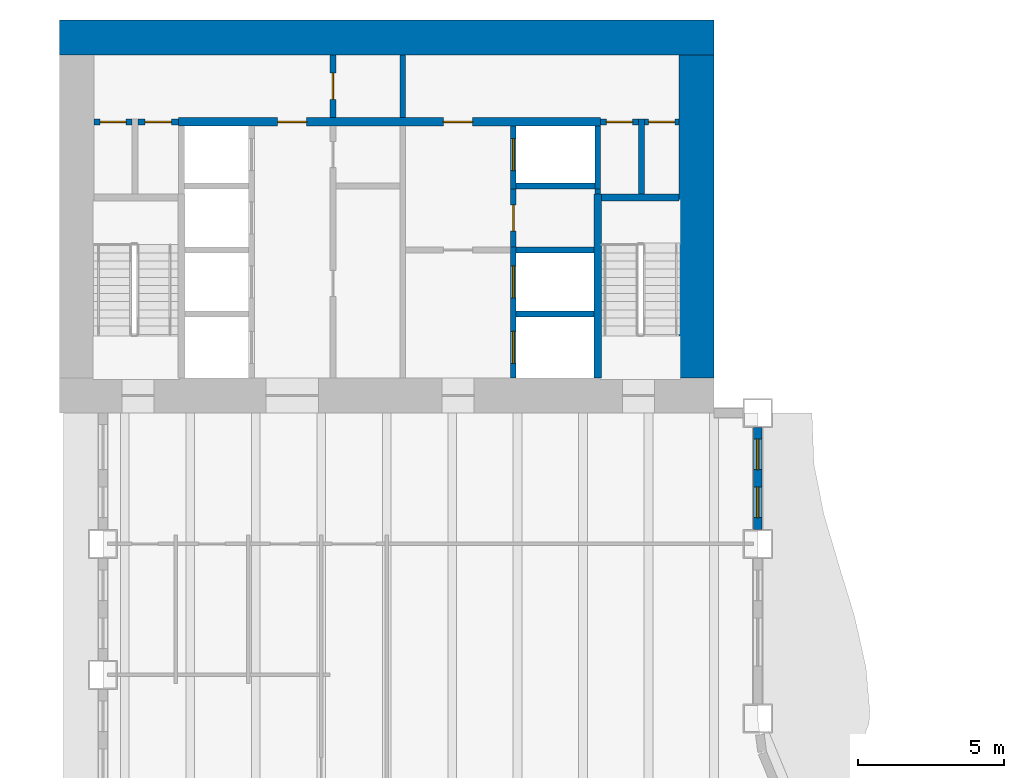
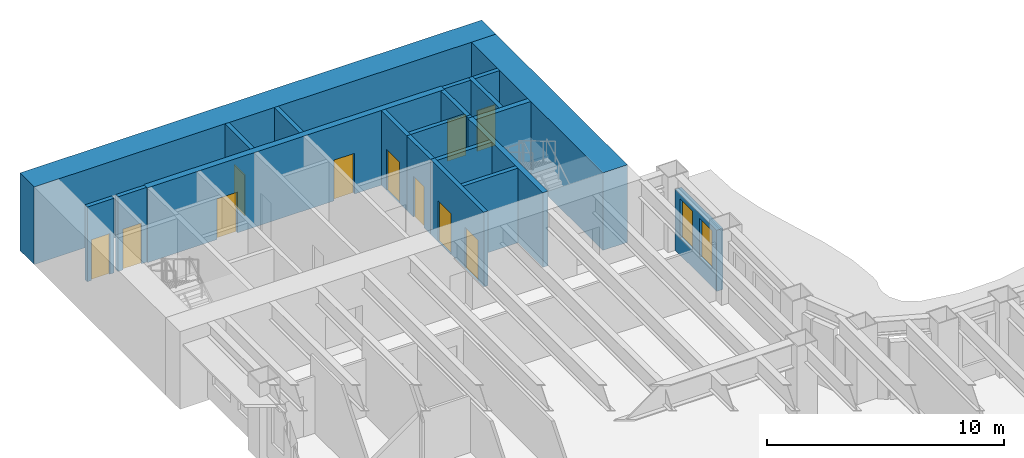
# One storey, part 9 of 16: 21 walls, 11 doors, 2 windows, 13 openings.
"""IFC4 building model written with IfcOpenShell, lengths in metres."""

from ifc_helpers import new_model, si_unit, direction, frame, frame_2d, origin, place, context, subcontext, project, spatial, rectangle, extrude, material, layer, layer_set, type_object, element, fill, save


model = new_model("IFC4")

# Units and contexts
model_context = context("Model", 3, precision=1e-05, world=origin(), true_north=direction((0.0, 1.0)))
body_context = subcontext(model_context, "Body", "Model", "MODEL_VIEW")
ifc_project = project(units=[si_unit("LENGTHUNIT", "METRE"), si_unit("AREAUNIT", "SQUARE_METRE"), si_unit("VOLUMEUNIT", "CUBIC_METRE"), si_unit("PLANEANGLEUNIT", "RADIAN"), si_unit("MASSUNIT", "GRAM", prefix="KILO")], contexts=[model_context])

# Site, building, storey
site_placement = place(None, origin())
site = spatial("IfcSite", under=ifc_project, at=site_placement, CompositionType="ELEMENT")
building_placement = place(site_placement, origin())
building = spatial("IfcBuilding", under=site, at=building_placement, Name="Sennacour Bend Tower", CompositionType="ELEMENT")
storey_placement = place(building_placement, frame((0.0, 0.0, 123.0)))
storey = spatial("IfcBuildingStorey", under=building, at=storey_placement, Name="L28", CompositionType="ELEMENT", Elevation=123.0)

# Walls
ifc_material_1 = material(Name="Concrete C80/95", Category="concrete")
ifc_layer_1 = layer(ifc_material_1, 1.199951171875, Name="Concrete C80/95", Category="concrete")
ifc_layer_set_1 = layer_set([ifc_layer_1], Name="Concrete C80/95")
wall_type_1 = type_object("IfcWallType", Name="Core wall 1200 C80/95", PredefinedType="SHEAR", material=ifc_layer_set_1)
wall_1_placement = place(storey_placement, frame((0.0, 48.89990234375, -0.14990234375), z_axis=(0.0, 0.0, 1.0), x_axis=(1.0, 0.0, 0.0)))
element("IfcWall", 1, at=wall_1_placement, inside=storey, type_object=wall_type_1, Name="Core B wall L28 N", PredefinedType="SHEAR", context=body_context, shape_type="SweptSolid", body=[
    extrude(rectangle(XDim=22.5, YDim=1.199951171875, at=frame_2d((11.25, 0.0))), origin(), (0.0, 0.0, 1.0), 4.0),
])
wall_2_placement = place(storey_placement, frame((21.89990234375, 37.199951171875, -0.14990234375), z_axis=(0.0, 0.0, 1.0), x_axis=(0.0, 1.0, 0.0)))
element("IfcWall", 2, at=wall_2_placement, inside=storey, type_object=wall_type_1, Name="Core B wall L28 E", PredefinedType="SHEAR", context=body_context, shape_type="SweptSolid", body=[
    extrude(rectangle(XDim=11.10009765625, YDim=1.199951171875, at=frame_2d((5.550048828125, 0.0))), origin(), (0.0, 0.0, 1.0), 4.0),
])

# Wall, opening, door
ifc_material_2 = material(Name="Fire-rated plasterboard partition on steel studs", Category="steel")
ifc_layer_2 = layer(ifc_material_2, 0.199951171875, Name="Fire-rated plasterboard partition on steel studs", Category="steel")
ifc_layer_set_2 = layer_set([ifc_layer_2], Name="Fire-rated plasterboard partition on steel studs")
wall_type_2 = type_object("IfcWallType", Name="Rated partition 200", PredefinedType="PARTITIONING", material=ifc_layer_set_2)
wall_3_placement = place(storey_placement, frame((9.39990234375, 46.14990234375, 0.0), z_axis=(0.0, 0.0, 1.0), x_axis=(0.0, 1.0, 0.0)))
wall_3 = element("IfcWall", 3, at=wall_3_placement, inside=storey, type_object=wall_type_2, Name="P-L28-W012b", PredefinedType="PARTITIONING", context=body_context, shape_type="SweptSolid", body=[
    extrude(rectangle(XDim=2.150146484375, YDim=0.199951171875, at=frame_2d((1.0751953125, 0.0))), origin(), (0.0, 0.0, 1.0), 3.85009765625),
])
opening_1_placement = place(wall_3_placement, frame((0.625, 0.0, 0.0)))
opening_1 = element("IfcOpeningElement", 4, at=opening_1_placement, cuts=wall_3, Name="Opening SV", PredefinedType="OPENING", context=body_context, shape_type="SweptSolid", body=[
    extrude(rectangle(XDim=0.89990234375, YDim=2.10009765625, at=frame_2d((0.449951171875, 1.050048828125))), frame((0.0, 0.10986328125, 0.0), z_axis=(0.0, -1.0, 0.0), x_axis=(1.0, 0.0, 0.0)), (0.0, 0.0, 1.0), 0.219970703125),
])
ifc_material_3 = material(Name="Painted steel", Category="steel")
door_type_1 = type_object("IfcDoorType", Name="DR-SERVICE-900", OperationType="NOTDEFINED", PredefinedType="DOOR", material=ifc_material_3)
door_1_placement = place(opening_1_placement, origin())
door_1 = element("IfcDoor", 5, at=door_1_placement, inside=storey, type_object=door_type_1, Name="Door", OperationType="SINGLE_SWING_LEFT", OverallHeight=2.10009765625, OverallWidth=0.89990234375, PredefinedType="DOOR", context=body_context, shape_type="SweptSolid", body=[
    extrude(rectangle(XDim=0.89990234375, YDim=2.10009765625, at=frame_2d((0.449951171875, 1.050048828125))), frame((0.0, 0.02490234375, 0.0), z_axis=(0.0, -1.0, 0.0), x_axis=(1.0, 0.0, 0.0)), (0.0, 0.0, 1.0), 0.050048828125),
])
fill(opening_1, door_1)

# Wall
wall_4_placement = place(storey_placement, frame((11.800048828125, 46.14990234375, 0.0), z_axis=(0.0, 0.0, 1.0), x_axis=(0.0, 1.0, 0.0)))
element("IfcWall", 6, at=wall_4_placement, inside=storey, type_object=wall_type_2, Name="P-L28-W014b", PredefinedType="PARTITIONING", context=body_context, shape_type="SweptSolid", body=[
    extrude(rectangle(XDim=2.150146484375, YDim=0.199951171875, at=frame_2d((1.0751953125, 0.0))), origin(), (0.0, 0.0, 1.0), 3.85009765625),
])

# Wall, opening, door
wall_5_placement = place(storey_placement, frame((15.60009765625, 41.699951171875, 0.0), z_axis=(0.0, 0.0, 1.0), x_axis=(0.0, 1.0, 0.0)))
wall_5 = element("IfcWall", 7, at=wall_5_placement, inside=storey, type_object=wall_type_2, Name="P-L28-W017", PredefinedType="PARTITIONING", context=body_context, shape_type="SweptSolid", body=[
    extrude(rectangle(XDim=2.0, YDim=0.199951171875, at=frame_2d((1.0, 0.0))), origin(), (0.0, 0.0, 1.0), 3.85009765625),
])
opening_2_placement = place(wall_5_placement, frame((0.550048828125, 0.0, 0.0)))
opening_2 = element("IfcOpeningElement", 8, at=opening_2_placement, cuts=wall_5, Name="Opening SV", PredefinedType="OPENING", context=body_context, shape_type="SweptSolid", body=[
    extrude(rectangle(XDim=0.89990234375, YDim=2.10009765625, at=frame_2d((0.449951171875, 1.050048828125))), frame((0.0, 0.10986328125, 0.0), z_axis=(0.0, -1.0, 0.0), x_axis=(1.0, 0.0, 0.0)), (0.0, 0.0, 1.0), 0.219970703125),
])
door_2_placement = place(opening_2_placement, origin())
door_2 = element("IfcDoor", 9, at=door_2_placement, inside=storey, type_object=door_type_1, Name="Door", OperationType="SINGLE_SWING_RIGHT", OverallHeight=2.10009765625, OverallWidth=0.89990234375, PredefinedType="DOOR", context=body_context, shape_type="SweptSolid", body=[
    extrude(rectangle(XDim=0.89990234375, YDim=2.10009765625, at=frame_2d((0.449951171875, 1.050048828125))), frame((0.0, 0.02490234375, 0.0), z_axis=(0.0, -1.0, 0.0), x_axis=(1.0, 0.0, 0.0)), (0.0, 0.0, 1.0), 0.050048828125),
])
fill(opening_2, door_2)

# Walls
wall_6_placement = place(storey_placement, frame((18.5, 43.52490234375, 0.0), z_axis=(0.0, 0.0, 1.0), x_axis=(0.0, 1.0, 0.0)))
element("IfcWall", 10, at=wall_6_placement, inside=storey, type_object=wall_type_2, Name="P-L28-W020", PredefinedType="PARTITIONING", context=body_context, shape_type="SweptSolid", body=[
    extrude(rectangle(XDim=0.175048828125, YDim=0.199951171875, at=frame_2d((0.08740234375, 0.0))), origin(), (0.0, 0.0, 1.0), 3.85009765625),
])
wall_7_placement = place(storey_placement, frame((20.0, 43.52490234375, 0.0), z_axis=(0.0, 0.0, 1.0), x_axis=(0.0, 1.0, 0.0)))
element("IfcWall", 11, at=wall_7_placement, inside=storey, type_object=wall_type_2, Name="P-L28-W022", PredefinedType="PARTITIONING", context=body_context, shape_type="SweptSolid", body=[
    extrude(rectangle(XDim=2.5751953125, YDim=0.199951171875, at=frame_2d((1.28759765625, 0.0))), origin(), (0.0, 0.0, 1.0), 3.85009765625),
])

# Wall, opening, door
wall_8_placement = place(storey_placement, frame((1.199951171875, 46.0, 0.0), z_axis=(0.0, 0.0, 1.0), x_axis=(1.0, 0.0, 0.0)))
wall_8 = element("IfcWall", 12, at=wall_8_placement, inside=storey, type_object=wall_type_2, Name="P-L28-W086a", PredefinedType="PARTITIONING", context=body_context, shape_type="SweptSolid", body=[
    extrude(rectangle(XDim=1.300048828125, YDim=0.199951171875, at=frame_2d((0.64990234375, 0.0))), origin(), (0.0, 0.0, 1.0), 3.85009765625),
])
opening_3_placement = place(wall_8_placement, frame((0.199951171875, 0.0, 0.0)))
opening_3 = element("IfcOpeningElement", 13, at=opening_3_placement, cuts=wall_8, Name="Opening SV", PredefinedType="OPENING", context=body_context, shape_type="SweptSolid", body=[
    extrude(rectangle(XDim=0.89990234375, YDim=2.10009765625, at=frame_2d((0.449951171875, 1.050048828125))), frame((0.0, 0.10986328125, 0.0), z_axis=(0.0, -1.0, 0.0), x_axis=(1.0, 0.0, 0.0)), (0.0, 0.0, 1.0), 0.219970703125),
])
door_3_placement = place(opening_3_placement, origin())
door_3 = element("IfcDoor", 14, at=door_3_placement, inside=storey, type_object=door_type_1, Name="Door", OperationType="SINGLE_SWING_LEFT", OverallHeight=2.10009765625, OverallWidth=0.89990234375, PredefinedType="DOOR", context=body_context, shape_type="SweptSolid", body=[
    extrude(rectangle(XDim=0.89990234375, YDim=2.10009765625, at=frame_2d((0.449951171875, 1.050048828125))), frame((0.0, 0.02490234375, 0.0), z_axis=(0.0, -1.0, 0.0), x_axis=(1.0, 0.0, 0.0)), (0.0, 0.0, 1.0), 0.050048828125),
])
fill(opening_3, door_3)

wall_9_placement = place(storey_placement, frame((2.699951171875, 46.0, 0.0), z_axis=(0.0, 0.0, 1.0), x_axis=(1.0, 0.0, 0.0)))
wall_9 = element("IfcWall", 15, at=wall_9_placement, inside=storey, type_object=wall_type_2, Name="P-L28-W086b", PredefinedType="PARTITIONING", context=body_context, shape_type="SweptSolid", body=[
    extrude(rectangle(XDim=1.400146484375, YDim=0.199951171875, at=frame_2d((0.7001953125, 0.0))), origin(), (0.0, 0.0, 1.0), 3.85009765625),
])
opening_4_placement = place(wall_9_placement, frame((0.25, 0.0, 0.0)))
opening_4 = element("IfcOpeningElement", 16, at=opening_4_placement, cuts=wall_9, Name="Opening WD", PredefinedType="OPENING", context=body_context, shape_type="SweptSolid", body=[
    extrude(rectangle(XDim=0.89990234375, YDim=2.10009765625, at=frame_2d((0.449951171875, 1.050048828125))), frame((0.0, 0.10986328125, 0.0), z_axis=(0.0, -1.0, 0.0), x_axis=(1.0, 0.0, 0.0)), (0.0, 0.0, 1.0), 0.219970703125),
])
ifc_material_4 = material(Name="Timber", Category="wood")
door_type_2 = type_object("IfcDoorType", Name="DR-WC-900", OperationType="NOTDEFINED", PredefinedType="DOOR", material=ifc_material_4)
door_4_placement = place(opening_4_placement, origin())
door_4 = element("IfcDoor", 17, at=door_4_placement, inside=storey, type_object=door_type_2, Name="Door", OperationType="SINGLE_SWING_LEFT", OverallHeight=2.10009765625, OverallWidth=0.89990234375, PredefinedType="DOOR", context=body_context, shape_type="SweptSolid", body=[
    extrude(rectangle(XDim=0.89990234375, YDim=2.10009765625, at=frame_2d((0.449951171875, 1.050048828125))), frame((0.0, 0.02490234375, 0.0), z_axis=(0.0, -1.0, 0.0), x_axis=(1.0, 0.0, 0.0)), (0.0, 0.0, 1.0), 0.050048828125),
])
fill(opening_4, door_4)

wall_10_placement = place(storey_placement, frame((18.60009765625, 46.0, 0.0), z_axis=(0.0, 0.0, 1.0), x_axis=(1.0, 0.0, 0.0)))
wall_10 = element("IfcWall", 18, at=wall_10_placement, inside=storey, type_object=wall_type_2, Name="P-L28-W088a", PredefinedType="PARTITIONING", context=body_context, shape_type="SweptSolid", body=[
    extrude(rectangle(XDim=1.2998046875, YDim=0.199951171875, at=frame_2d((0.64990234375, 0.0))), origin(), (0.0, 0.0, 1.0), 3.85009765625),
])
opening_5_placement = place(wall_10_placement, frame((0.199951171875, 0.0, 0.0)))
opening_5 = element("IfcOpeningElement", 19, at=opening_5_placement, cuts=wall_10, Name="Opening SV", PredefinedType="OPENING", context=body_context, shape_type="SweptSolid", body=[
    extrude(rectangle(XDim=0.89990234375, YDim=2.10009765625, at=frame_2d((0.449951171875, 1.050048828125))), frame((0.0, 0.10986328125, 0.0), z_axis=(0.0, -1.0, 0.0), x_axis=(1.0, 0.0, 0.0)), (0.0, 0.0, 1.0), 0.219970703125),
])
door_5_placement = place(opening_5_placement, origin())
door_5 = element("IfcDoor", 20, at=door_5_placement, inside=storey, type_object=door_type_1, Name="Door", OperationType="SINGLE_SWING_LEFT", OverallHeight=2.10009765625, OverallWidth=0.89990234375, PredefinedType="DOOR", context=body_context, shape_type="SweptSolid", body=[
    extrude(rectangle(XDim=0.89990234375, YDim=2.10009765625, at=frame_2d((0.449951171875, 1.050048828125))), frame((0.0, 0.02490234375, 0.0), z_axis=(0.0, -1.0, 0.0), x_axis=(1.0, 0.0, 0.0)), (0.0, 0.0, 1.0), 0.050048828125),
])
fill(opening_5, door_5)

wall_11_placement = place(storey_placement, frame((20.10009765625, 46.0, 0.0), z_axis=(0.0, 0.0, 1.0), x_axis=(1.0, 0.0, 0.0)))
wall_11 = element("IfcWall", 21, at=wall_11_placement, inside=storey, type_object=wall_type_2, Name="P-L28-W088b", PredefinedType="PARTITIONING", context=body_context, shape_type="SweptSolid", body=[
    extrude(rectangle(XDim=1.199951171875, YDim=0.199951171875, at=frame_2d((0.60009765625, 0.0))), origin(), (0.0, 0.0, 1.0), 3.85009765625),
])
opening_6_placement = place(wall_11_placement, frame((0.14990234375, 0.0, 0.0)))
opening_6 = element("IfcOpeningElement", 22, at=opening_6_placement, cuts=wall_11, Name="Opening SV", PredefinedType="OPENING", context=body_context, shape_type="SweptSolid", body=[
    extrude(rectangle(XDim=0.89990234375, YDim=2.10009765625, at=frame_2d((0.449951171875, 1.050048828125))), frame((0.0, 0.10986328125, 0.0), z_axis=(0.0, -1.0, 0.0), x_axis=(1.0, 0.0, 0.0)), (0.0, 0.0, 1.0), 0.219970703125),
])
door_6_placement = place(opening_6_placement, origin())
door_6 = element("IfcDoor", 23, at=door_6_placement, inside=storey, type_object=door_type_1, Name="Door", OperationType="SINGLE_SWING_LEFT", OverallHeight=2.10009765625, OverallWidth=0.89990234375, PredefinedType="DOOR", context=body_context, shape_type="SweptSolid", body=[
    extrude(rectangle(XDim=0.89990234375, YDim=2.10009765625, at=frame_2d((0.449951171875, 1.050048828125))), frame((0.0, 0.02490234375, 0.0), z_axis=(0.0, -1.0, 0.0), x_axis=(1.0, 0.0, 0.0)), (0.0, 0.0, 1.0), 0.050048828125),
])
fill(opening_6, door_6)

# Wall, openings, windows
ifc_material_5 = material(Name="Warm limestone cladding", Category="masonry")
ifc_layer_3 = layer(ifc_material_5, 0.050048828125, Name="Warm limestone cladding", Category="masonry")
ifc_material_6 = material(Name="Precast concrete C40/50", Category="concrete")
ifc_layer_4 = layer(ifc_material_6, 0.25, Name="Precast concrete C40/50", Category="concrete")
ifc_layer_set_3 = layer_set([ifc_layer_3, ifc_layer_4], Name="Precast concrete C40/50 with limestone cladding")
wall_type_3 = type_object("IfcWallType", Name="STONE-CLAD PRECAST SPANDREL 300", PredefinedType="STANDARD", material=ifc_layer_set_3)
wall_12_placement = place(storey_placement, frame((24.0, 32.0, 0.0), z_axis=(0.0, 0.0, 1.0), x_axis=(0.0, 1.0, 0.0)))
wall_12 = element("IfcWall", 24, at=wall_12_placement, inside=storey, type_object=wall_type_3, Name="Stone spandrel and pier wall L28 13.01", PredefinedType="STANDARD", context=body_context, shape_type="SweptSolid", body=[
    extrude(rectangle(XDim=3.5, YDim=0.300048828125, at=frame_2d((1.75, 0.0))), origin(), (0.0, 0.0, 1.0), 3.154052734375),
])
opening_7_placement = place(wall_12_placement, frame((0.39990234375, 0.0, 0.89990234375)))
opening_7 = element("IfcOpeningElement", 25, at=opening_7_placement, cuts=wall_12, Name="Opening W13", PredefinedType="OPENING", context=body_context, shape_type="SweptSolid", body=[
    extrude(rectangle(XDim=1.050048828125, YDim=2.0, at=frame_2d((0.52490234375, 1.0))), frame((0.0, 0.16015625, 0.0), z_axis=(0.0, -1.0, 0.0), x_axis=(1.0, 0.0, 0.0)), (0.0, 0.0, 1.0), 0.320068359375),
])
opening_8_placement = place(wall_12_placement, frame((2.050048828125, 0.0, 0.89990234375)))
opening_8 = element("IfcOpeningElement", 26, at=opening_8_placement, cuts=wall_12, Name="Opening W13", PredefinedType="OPENING", context=body_context, shape_type="SweptSolid", body=[
    extrude(rectangle(XDim=1.050048828125, YDim=2.0, at=frame_2d((0.52490234375, 1.0))), frame((0.0, 0.16015625, 0.0), z_axis=(0.0, -1.0, 0.0), x_axis=(1.0, 0.0, 0.0)), (0.0, 0.0, 1.0), 0.320068359375),
])
ifc_material_7 = material(Name="Clear low-emissivity glass", Category="glass")
window_type = type_object("IfcWindowType", Name="WIN-RIBBON-1050x2000", PartitioningType="SINGLE_PANEL", PredefinedType="WINDOW", material=ifc_material_7)
window_1_placement = place(opening_7_placement, origin())
window_1 = element("IfcWindow", 27, at=window_1_placement, inside=storey, type_object=window_type, Name="Ribbon window L28 13.01.0", OverallHeight=2.0, OverallWidth=1.050048828125, PartitioningType="SINGLE_PANEL", PredefinedType="WINDOW", context=body_context, shape_type="SweptSolid", body=[
    extrude(rectangle(XDim=1.050048828125, YDim=2.0, at=frame_2d((0.52490234375, 1.0))), frame((0.0, 0.030029296875, 0.0), z_axis=(0.0, -1.0, 0.0), x_axis=(1.0, 0.0, 0.0)), (0.0, 0.0, 1.0), 0.06005859375),
])
fill(opening_7, window_1)
window_2_placement = place(opening_8_placement, origin())
window_2 = element("IfcWindow", 28, at=window_2_placement, inside=storey, type_object=window_type, Name="Ribbon window L28 13.01.1", OverallHeight=2.0, OverallWidth=1.050048828125, PartitioningType="SINGLE_PANEL", PredefinedType="WINDOW", context=body_context, shape_type="SweptSolid", body=[
    extrude(rectangle(XDim=1.050048828125, YDim=2.0, at=frame_2d((0.52490234375, 1.0))), frame((0.0, 0.030029296875, 0.0), z_axis=(0.0, -1.0, 0.0), x_axis=(1.0, 0.0, 0.0)), (0.0, 0.0, 1.0), 0.06005859375),
])
fill(opening_8, window_2)

# Wall, openings, doors
ifc_material_8 = material(Name="Concrete C50/60", Category="concrete")
ifc_layer_5 = layer(ifc_material_8, 0.199951171875, Name="Concrete C50/60", Category="concrete")
ifc_layer_set_4 = layer_set([ifc_layer_5], Name="Concrete C50/60")
wall_type_4 = type_object("IfcWallType", Name="Shaft wall 200", PredefinedType="SOLIDWALL", material=ifc_layer_set_4)
wall_13_placement = place(storey_placement, frame((15.60009765625, 37.199951171875, 0.0), z_axis=(0.0, 0.0, 1.0), x_axis=(0.0, 1.0, 0.0)))
wall_13 = element("IfcWall", 29, at=wall_13_placement, inside=storey, type_object=wall_type_4, Name="P-L28-W016", PredefinedType="SOLIDWALL", context=body_context, shape_type="SweptSolid", body=[
    extrude(rectangle(XDim=4.5, YDim=0.199951171875, at=frame_2d((2.25, 0.0))), origin(), (0.0, 0.0, 1.0), 3.85009765625),
])
opening_9_placement = place(wall_13_placement, frame((0.5, 0.0, 0.011962890625)))
opening_9 = element("IfcOpeningElement", 30, at=opening_9_placement, cuts=wall_13, Name="Opening FLD", PredefinedType="OPENING", context=body_context, shape_type="SweptSolid", body=[
    extrude(rectangle(XDim=1.10009765625, YDim=2.10009765625, at=frame_2d((0.550048828125, 1.050048828125))), frame((0.0, 0.10986328125, 0.0), z_axis=(0.0, -1.0, 0.0), x_axis=(1.0, 0.0, 0.0)), (0.0, 0.0, 1.0), 0.219970703125),
])
opening_10_placement = place(wall_13_placement, frame((2.75, 0.0, 0.011962890625)))
opening_10 = element("IfcOpeningElement", 31, at=opening_10_placement, cuts=wall_13, Name="Opening FLD", PredefinedType="OPENING", context=body_context, shape_type="SweptSolid", body=[
    extrude(rectangle(XDim=1.10009765625, YDim=2.10009765625, at=frame_2d((0.550048828125, 1.050048828125))), frame((0.0, 0.10986328125, 0.0), z_axis=(0.0, -1.0, 0.0), x_axis=(1.0, 0.0, 0.0)), (0.0, 0.0, 1.0), 0.219970703125),
])
ifc_material_9 = material(Name="Stainless steel", Category="steel")
door_type_3 = type_object("IfcDoorType", Name="DR-FF-LANDING-1100", OperationType="NOTDEFINED", PredefinedType="DOOR", material=ifc_material_9)
door_7_placement = place(opening_9_placement, origin())
door_7 = element("IfcDoor", 32, at=door_7_placement, inside=storey, type_object=door_type_3, Name="Fire service lift landing door FB1", OperationType="SLIDING_TO_LEFT", OverallHeight=2.10009765625, OverallWidth=1.10009765625, PredefinedType="DOOR", context=body_context, shape_type="SweptSolid", body=[
    extrude(rectangle(XDim=1.10009765625, YDim=2.10009765625, at=frame_2d((0.550048828125, 1.050048828125))), frame((0.0, 0.02490234375, 0.0), z_axis=(0.0, -1.0, 0.0), x_axis=(1.0, 0.0, 0.0)), (0.0, 0.0, 1.0), 0.050048828125),
])
fill(opening_9, door_7)
door_8_placement = place(opening_10_placement, origin())
door_8 = element("IfcDoor", 33, at=door_8_placement, inside=storey, type_object=door_type_3, Name="Fire service lift landing door FB2", OperationType="SLIDING_TO_RIGHT", OverallHeight=2.10009765625, OverallWidth=1.10009765625, PredefinedType="DOOR", context=body_context, shape_type="SweptSolid", body=[
    extrude(rectangle(XDim=1.10009765625, YDim=2.10009765625, at=frame_2d((0.550048828125, 1.050048828125))), frame((0.0, 0.02490234375, 0.0), z_axis=(0.0, -1.0, 0.0), x_axis=(1.0, 0.0, 0.0)), (0.0, 0.0, 1.0), 0.050048828125),
])
fill(opening_10, door_8)

# Wall, opening, door
wall_14_placement = place(storey_placement, frame((15.60009765625, 43.699951171875, 0.0), z_axis=(0.0, 0.0, 1.0), x_axis=(0.0, 1.0, 0.0)))
wall_14 = element("IfcWall", 34, at=wall_14_placement, inside=storey, type_object=wall_type_4, Name="P-L28-W018", PredefinedType="SOLIDWALL", context=body_context, shape_type="SweptSolid", body=[
    extrude(rectangle(XDim=2.150146484375, YDim=0.199951171875, at=frame_2d((1.0751953125, 0.0))), origin(), (0.0, 0.0, 1.0), 3.85009765625),
])
opening_11_placement = place(wall_14_placement, frame((0.625, 0.0, 0.011962890625)))
opening_11 = element("IfcOpeningElement", 35, at=opening_11_placement, cuts=wall_14, Name="Opening LD", PredefinedType="OPENING", context=body_context, shape_type="SweptSolid", body=[
    extrude(rectangle(XDim=1.10009765625, YDim=2.10009765625, at=frame_2d((0.550048828125, 1.050048828125))), frame((0.0, 0.10986328125, 0.0), z_axis=(0.0, -1.0, 0.0), x_axis=(1.0, 0.0, 0.0)), (0.0, 0.0, 1.0), 0.219970703125),
])
door_type_4 = type_object("IfcDoorType", Name="DR-LANDING-1100", OperationType="NOTDEFINED", PredefinedType="DOOR", material=ifc_material_9)
door_9_placement = place(opening_11_placement, origin())
door_9 = element("IfcDoor", 36, at=door_9_placement, inside=storey, type_object=door_type_4, Name="Lift landing door LB5", OperationType="SLIDING_TO_LEFT", OverallHeight=2.10009765625, OverallWidth=1.10009765625, PredefinedType="DOOR", context=body_context, shape_type="SweptSolid", body=[
    extrude(rectangle(XDim=1.10009765625, YDim=2.10009765625, at=frame_2d((0.550048828125, 1.050048828125))), frame((0.0, 0.02490234375, 0.0), z_axis=(0.0, -1.0, 0.0), x_axis=(1.0, 0.0, 0.0)), (0.0, 0.0, 1.0), 0.050048828125),
])
fill(opening_11, door_9)

# Walls
wall_15_placement = place(storey_placement, frame((18.5, 43.699951171875, 0.0), z_axis=(0.0, 0.0, 1.0), x_axis=(0.0, 1.0, 0.0)))
element("IfcWall", 37, at=wall_15_placement, inside=storey, type_object=wall_type_4, Name="P-L28-W021", PredefinedType="SOLIDWALL", context=body_context, shape_type="SweptSolid", body=[
    extrude(rectangle(XDim=2.150146484375, YDim=0.199951171875, at=frame_2d((1.0751953125, 0.0))), origin(), (0.0, 0.0, 1.0), 3.85009765625),
])
for number, where, z_axis, x_axis, name in (
    (38, (15.699951171875, 39.39990234375, 0.0), (0.0, 0.0, 1.0), (1.0, 0.0, 0.0), "P-L28-W077"),
    (39, (15.699951171875, 41.60009765625, 0.0), (0.0, 0.0, 1.0), (1.0, 0.0, 0.0), "P-L28-W080"),
):
    element("IfcWall", number, at=place(storey_placement, frame(where, z_axis=z_axis, x_axis=x_axis)), inside=storey, type_object=wall_type_4, Name=name, PredefinedType="SOLIDWALL", context=body_context, shape_type="SweptSolid", body=[
        extrude(rectangle(XDim=2.675048828125, YDim=0.199951171875, at=frame_2d((1.33740234375, 0.0))), origin(), (0.0, 0.0, 1.0), 3.85009765625),
    ])
wall_16_placement = place(storey_placement, frame((15.699951171875, 43.800048828125, 0.0), z_axis=(0.0, 0.0, 1.0), x_axis=(1.0, 0.0, 0.0)))
element("IfcWall", 40, at=wall_16_placement, inside=storey, type_object=wall_type_4, Name="P-L28-W085", PredefinedType="SOLIDWALL", context=body_context, shape_type="SweptSolid", body=[
    extrude(rectangle(XDim=2.699951171875, YDim=0.199951171875, at=frame_2d((1.35009765625, 0.0))), origin(), (0.0, 0.0, 1.0), 3.85009765625),
])

# Wall, openings, doors
ifc_material_10 = material(Name="Concrete C60/75", Category="concrete")
ifc_layer_6 = layer(ifc_material_10, 0.300048828125, Name="Concrete C60/75", Category="concrete")
ifc_layer_set_5 = layer_set([ifc_layer_6], Name="Concrete C60/75")
wall_type_5 = type_object("IfcWallType", Name="Spine wall 300", PredefinedType="SHEAR", material=ifc_layer_set_5)
wall_17_placement = place(storey_placement, frame((4.10009765625, 46.0, 0.0), z_axis=(0.0, 0.0, 1.0), x_axis=(1.0, 0.0, 0.0)))
wall_17 = element("IfcWall", 41, at=wall_17_placement, inside=storey, type_object=wall_type_5, Name="P-L28-W087", PredefinedType="SHEAR", context=body_context, shape_type="SweptSolid", body=[
    extrude(rectangle(XDim=14.5, YDim=0.300048828125, at=frame_2d((7.25, 0.0))), origin(), (0.0, 0.0, 1.0), 3.85009765625),
])
opening_12_placement = place(wall_17_placement, frame((3.39990234375, 0.0, 0.0)))
opening_12 = element("IfcOpeningElement", 42, at=opening_12_placement, cuts=wall_17, Name="Opening CD2", PredefinedType="OPENING", context=body_context, shape_type="SweptSolid", body=[
    extrude(rectangle(XDim=1.0, YDim=2.10009765625, at=frame_2d((0.5, 1.050048828125))), frame((0.0, 0.16015625, 0.0), z_axis=(0.0, -1.0, 0.0), x_axis=(1.0, 0.0, 0.0)), (0.0, 0.0, 1.0), 0.320068359375),
])
opening_13_placement = place(wall_17_placement, frame((9.099853515625, 0.0, 0.0)))
opening_13 = element("IfcOpeningElement", 43, at=opening_13_placement, cuts=wall_17, Name="Opening CD2", PredefinedType="OPENING", context=body_context, shape_type="SweptSolid", body=[
    extrude(rectangle(XDim=1.0, YDim=2.10009765625, at=frame_2d((0.5, 1.050048828125))), frame((0.0, 0.16015625, 0.0), z_axis=(0.0, -1.0, 0.0), x_axis=(1.0, 0.0, 0.0)), (0.0, 0.0, 1.0), 0.320068359375),
])
door_type_5 = type_object("IfcDoorType", Name="DR-LOBBY-1000", OperationType="NOTDEFINED", PredefinedType="DOOR", material=ifc_material_3)
door_10_placement = place(opening_12_placement, origin())
door_10 = element("IfcDoor", 44, at=door_10_placement, inside=storey, type_object=door_type_5, Name="Door", OperationType="SINGLE_SWING_LEFT", OverallHeight=2.10009765625, OverallWidth=1.0, PredefinedType="DOOR", context=body_context, shape_type="SweptSolid", body=[
    extrude(rectangle(XDim=1.0, YDim=2.10009765625, at=frame_2d((0.5, 1.050048828125))), frame((0.0, 0.02490234375, 0.0), z_axis=(0.0, -1.0, 0.0), x_axis=(1.0, 0.0, 0.0)), (0.0, 0.0, 1.0), 0.050048828125),
])
fill(opening_12, door_10)
door_11_placement = place(opening_13_placement, origin())
door_11 = element("IfcDoor", 45, at=door_11_placement, inside=storey, type_object=door_type_5, Name="Door", OperationType="SINGLE_SWING_RIGHT", OverallHeight=2.10009765625, OverallWidth=1.0, PredefinedType="DOOR", context=body_context, shape_type="SweptSolid", body=[
    extrude(rectangle(XDim=1.0, YDim=2.10009765625, at=frame_2d((0.5, 1.050048828125))), frame((0.0, 0.02490234375, 0.0), z_axis=(0.0, -1.0, 0.0), x_axis=(1.0, 0.0, 0.0)), (0.0, 0.0, 1.0), 0.050048828125),
])
fill(opening_13, door_11)

# Walls
ifc_layer_7 = layer(ifc_material_10, 0.25, Name="Concrete C60/75", Category="concrete")
ifc_layer_set_6 = layer_set([ifc_layer_7], Name="Concrete C60/75")
wall_type_6 = type_object("IfcWallType", Name="Stair wall 250", PredefinedType="SHEAR", material=ifc_layer_set_6)
wall_18_placement = place(storey_placement, frame((18.5, 37.199951171875, 0.0), z_axis=(0.0, 0.0, 1.0), x_axis=(0.0, 1.0, 0.0)))
element("IfcWall", 46, at=wall_18_placement, inside=storey, type_object=wall_type_6, Name="P-L28-W019", PredefinedType="SHEAR", context=body_context, shape_type="SweptSolid", body=[
    extrude(rectangle(XDim=6.324951171875, YDim=0.25, at=frame_2d((3.16259765625, 0.0))), origin(), (0.0, 0.0, 1.0), 3.85009765625),
])
wall_19_placement = place(storey_placement, frame((18.625, 43.39990234375, 0.0), z_axis=(0.0, 0.0, 1.0), x_axis=(1.0, 0.0, 0.0)))
element("IfcWall", 47, at=wall_19_placement, inside=storey, type_object=wall_type_6, Name="P-L28-W082", PredefinedType="SHEAR", context=body_context, shape_type="SweptSolid", body=[
    extrude(rectangle(XDim=2.675048828125, YDim=0.25, at=frame_2d((1.33740234375, 0.0))), origin(), (0.0, 0.0, 1.0), 3.85009765625),
])

save(model, "model.ifc")
